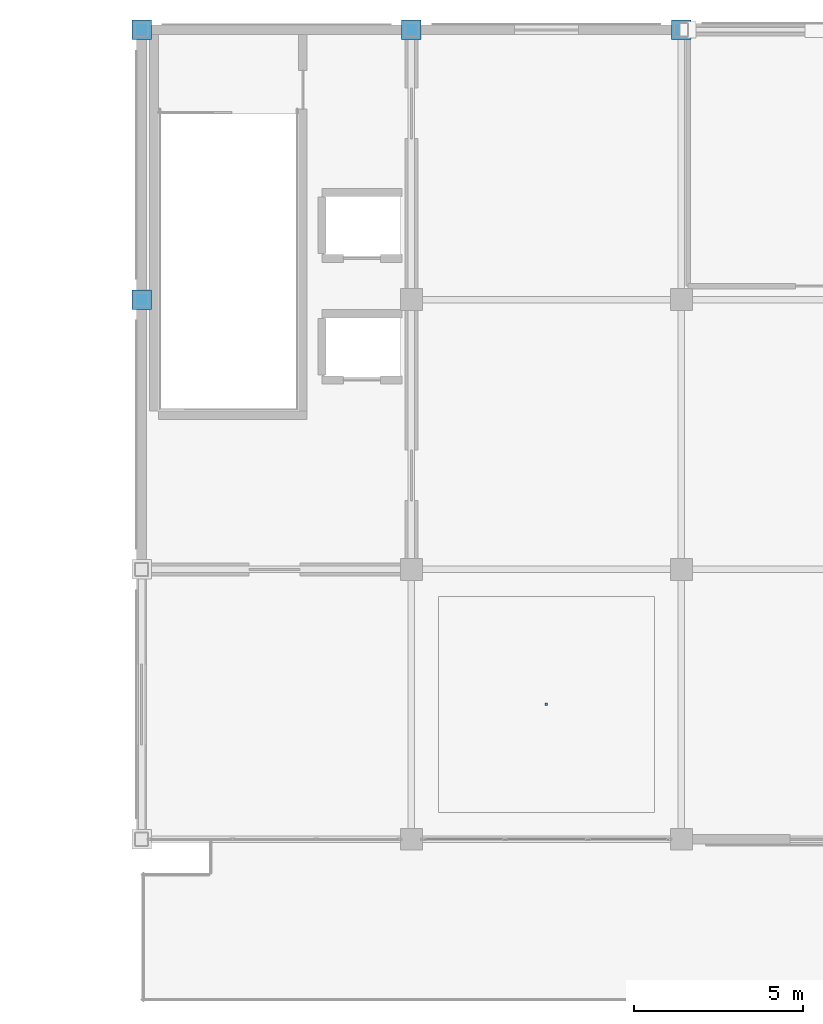
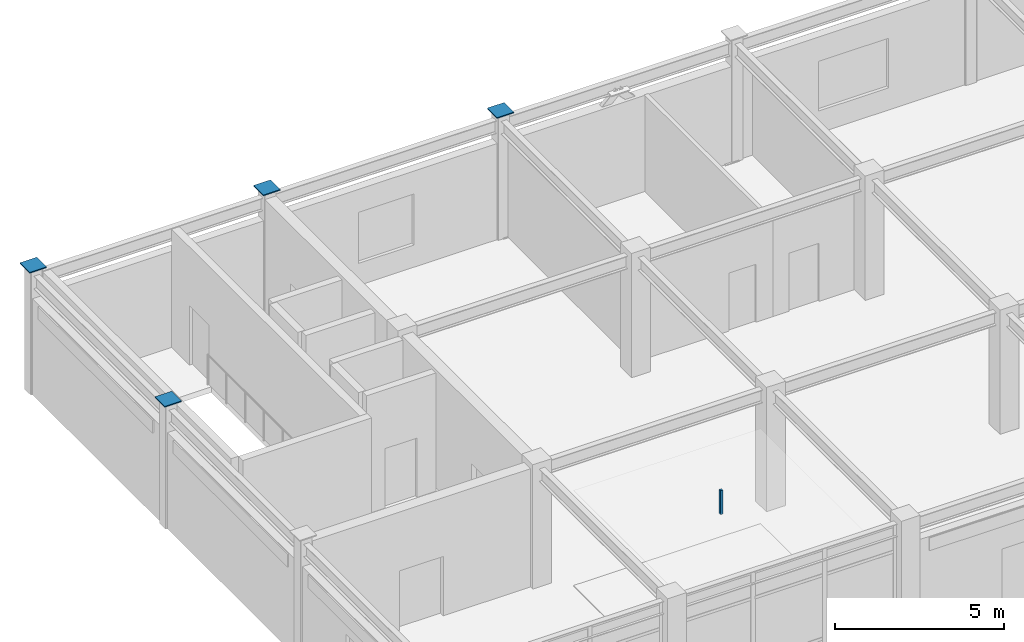
# One storey, part 68 of 78: 5 discrete accessories.
"""IFC4 building model written with IfcOpenShell, lengths in metres."""

from ifc_helpers import new_model, si_unit, direction, frame, origin, origin_2d, place, context, subcontext, project, spatial, rectangle, extrude, material, layer, layer_set, type_object, element, save


model = new_model("IFC4")

# Units and contexts
model_context = context("Model", 3, precision=1e-05, world=origin(), true_north=direction((0.0, 1.0)))
body_context = subcontext(model_context, "Body", "Model", "MODEL_VIEW")
ifc_project = project(units=[si_unit("LENGTHUNIT", "METRE"), si_unit("AREAUNIT", "SQUARE_METRE"), si_unit("VOLUMEUNIT", "CUBIC_METRE"), si_unit("PLANEANGLEUNIT", "RADIAN"), si_unit("MASSUNIT", "GRAM", prefix="KILO")], contexts=[model_context])

# Site, building, storey
site_placement = place(None, origin())
site = spatial("IfcSite", under=ifc_project, at=site_placement, CompositionType="ELEMENT")
building_placement = place(site_placement, origin())
building = spatial("IfcBuilding", under=site, at=building_placement, Name="Solmirada Galleria", CompositionType="ELEMENT")
storey_placement = place(building_placement, frame((0.0, 0.0, 23.89990234375)))
storey = spatial("IfcBuildingStorey", under=building, at=storey_placement, Name="L05", CompositionType="ELEMENT", Elevation=23.89990234375)

# Discrete accessories
ifc_material_1 = material(Name="Steel S355 / ASTM A992 Grade 50", Category="steel")
discrete_accessory_type_1 = type_object("IfcDiscreteAccessoryType", Name="ACC-CEIL-HANGER", PredefinedType="BRACKET", material=ifc_material_1)
discrete_accessory_placement = place(storey_placement, frame((52.0, 100.0, 3.449951171875), z_axis=(0.0, 0.0, 1.0), x_axis=(1.0, 0.0, 0.0)))
element("IfcDiscreteAccessory", 1, at=discrete_accessory_placement, inside=storey, type_object=discrete_accessory_type_1, Name="Ceiling suspension hanger L05-1", PredefinedType="BRACKET", context=body_context, shape_type="SweptSolid", body=[
    extrude(rectangle(XDim=0.080078125, YDim=0.080078125, at=origin_2d()), origin(), (0.0, 0.0, 1.0), 0.8701171875),
])
ifc_material_2 = material(Name="Steel S355 / ASTM A572 Grade 50", Category="steel")
ifc_layer = layer(ifc_material_2, 0.031982421875)
ifc_layer_set = layer_set([ifc_layer], Name="Steel S355 / ASTM A572 Grade 50")
discrete_accessory_type_2 = type_object("IfcDiscreteAccessoryType", Name="ACC-COL-CAP", PredefinedType="BRACKET", material=ifc_layer_set)
for number, where, z_axis, x_axis, name in (
    (2, (40.0, 112.0, 4.494140625), (0.0, 0.0, 1.0), (1.0, 0.0, 0.0), "Hollow column cap plate L05-0072"),
    (3, (40.0, 120.0, 4.494140625), (0.0, 0.0, 1.0), (1.0, 0.0, 0.0), "Hollow column cap plate L05-0079"),
    (4, (48.0, 120.0, 4.494140625), (0.0, 0.0, 1.0), (1.0, 0.0, 0.0), "Hollow column cap plate L05-0146"),
    (5, (56.0, 120.0, 4.494140625), (0.0, 0.0, 1.0), (1.0, 0.0, 0.0), "Hollow column cap plate L05-0213"),
):
    element("IfcDiscreteAccessory", number, at=place(storey_placement, frame(where, z_axis=z_axis, x_axis=x_axis)), inside=storey, type_object=discrete_accessory_type_2, Name=name, PredefinedType="BRACKET", context=body_context, shape_type="SweptSolid", body=[
        extrude(rectangle(XDim=0.580078125, YDim=0.580078125, at=origin_2d()), origin(), (0.0, 0.0, 1.0), 0.035888671875),
    ])

save(model, "model.ifc")
